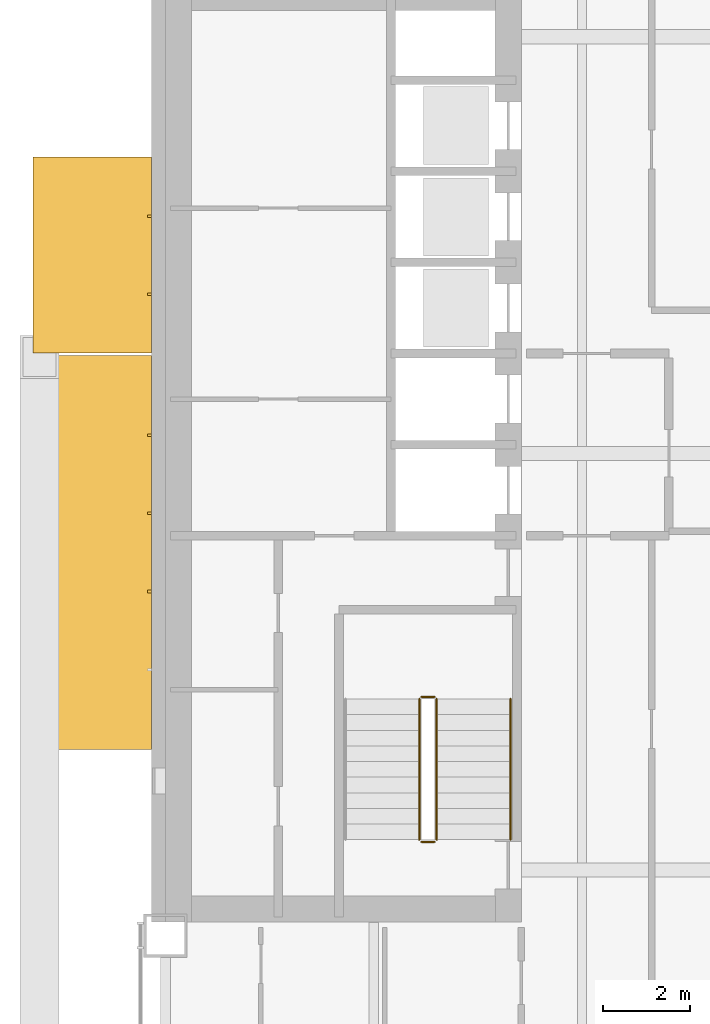
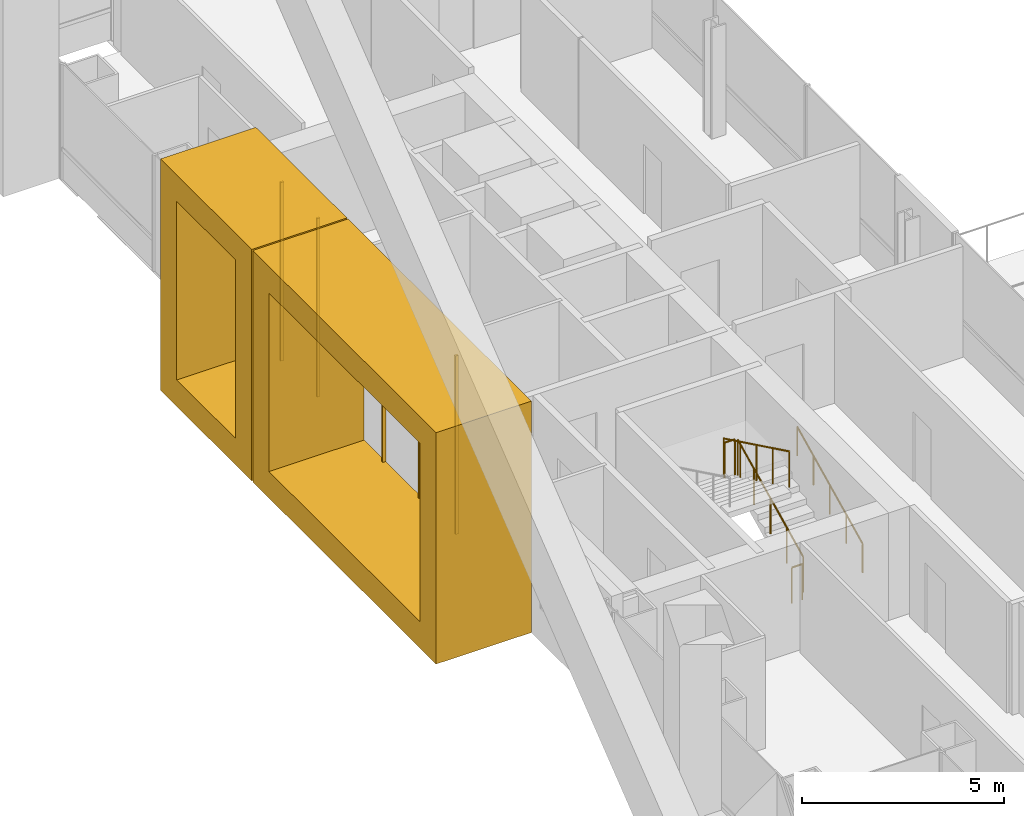
# One storey, part 22 of 26: 7 coverings, 5 railings.
"""IFC4 building model written with IfcOpenShell, lengths in metres."""

from ifc_helpers import new_model, si_unit, direction, frame, origin, origin_2d, place, context, subcontext, project, spatial, polyline, rectangle, circle, outline, extrude, material, type_object, element, save


model = new_model("IFC4")

# Units and contexts
model_context = context("Model", 3, precision=1e-05, world=origin(), true_north=direction((0.0, 1.0)))
body_context = subcontext(model_context, "Body", "Model", "MODEL_VIEW")
ifc_project = project(units=[si_unit("LENGTHUNIT", "METRE"), si_unit("AREAUNIT", "SQUARE_METRE"), si_unit("VOLUMEUNIT", "CUBIC_METRE"), si_unit("PLANEANGLEUNIT", "RADIAN"), si_unit("MASSUNIT", "GRAM", prefix="KILO")], contexts=[model_context])

# Site, building, storey
site_placement = place(None, origin())
site = spatial("IfcSite", under=ifc_project, at=site_placement, CompositionType="ELEMENT")
building_placement = place(site_placement, origin())
building = spatial("IfcBuilding", under=site, at=building_placement, Name="Cobrizo Arcos Hotel Tower", CompositionType="ELEMENT")
storey_placement = place(building_placement, frame((0.0, 0.0, 67.0)))
storey = spatial("IfcBuildingStorey", under=building, at=storey_placement, Name="L15", CompositionType="ELEMENT", Elevation=67.0)

# Coverings
ifc_material_1 = material(Name="Aluminium 6063-T6 anodised bronze", Category="aluminium")
covering_type_1 = type_object("IfcCoveringType", Name="FIN-F 2725", PredefinedType="CLADDING", material=ifc_material_1)
covering_1_placement = place(storey_placement, frame((-24.324951171875, 6.824951171875, 0.0), z_axis=(-1.0, 0.0, 0.0), x_axis=(0.0, -1.0, 0.0)))
element("IfcCovering", 1, at=covering_1_placement, inside=storey, type_object=covering_type_1, Name="Fin frame 78", PredefinedType="CLADDING", context=body_context, shape_type="SweptSolid", body=[
    extrude(outline(polyline([(0.0, 7.0), (0.0, 0.0), (4.5166015625, 0.0), (4.5166015625, 7.0), (0.0, 7.0)]), holes=[polyline([(3.716796875, 0.800048828125), (0.800048828125, 0.800048828125), (0.800048828125, 6.199951171875), (3.716796875, 6.199951171875), (3.716796875, 0.800048828125)])]), origin(), (0.0, 0.0, 1.0), 2.72509765625),
])
covering_2_placement = place(storey_placement, frame((-24.324951171875, 2.25830078125, 0.0), z_axis=(-1.0, 0.0, 0.0), x_axis=(0.0, -1.0, 0.0)))
element("IfcCovering", 2, at=covering_2_placement, inside=storey, type_object=covering_type_1, Name="Fin frame 79", PredefinedType="CLADDING", context=body_context, shape_type="SweptSolid", body=[
    extrude(outline(polyline([(0.0, 7.0), (0.0, 0.0), (9.083251953125, 0.0), (9.083251953125, 7.0), (0.0, 7.0)]), holes=[polyline([(8.283203125, 0.800048828125), (0.800048828125, 0.800048828125), (0.800048828125, 6.199951171875), (8.283203125, 6.199951171875), (8.283203125, 0.800048828125)])]), origin(), (0.0, 0.0, 1.0), 2.72509765625),
])
ifc_material_2 = material(Name="Aluminium 6063-T6 anodised pale", Category="aluminium")
covering_type_2 = type_object("IfcCoveringType", Name="RS-1 rainscreen rib 60x90", PredefinedType="CLADDING", material=ifc_material_2)
for number, where, z_axis, x_axis, name in (
    (3, (-24.3701171875, 5.466552734375, 0.800048828125), (0.0, 0.0, 1.0), (0.0, -1.0, 0.0), "Rainscreen rib 123"),
    (4, (-24.3701171875, 3.666748046875, 0.800048828125), (0.0, 0.0, 1.0), (0.0, -1.0, 0.0), "Rainscreen rib 124"),
    (5, (-24.3701171875, 0.416748046875, 0.800048828125), (0.0, 0.0, 1.0), (0.0, -1.0, 0.0), "Rainscreen rib 125"),
    (6, (-24.3701171875, -1.38330078125, 0.800048828125), (0.0, 0.0, 1.0), (0.0, -1.0, 0.0), "Rainscreen rib 126"),
    (7, (-24.3701171875, -3.183349609375, 0.800048828125), (0.0, 0.0, 1.0), (0.0, -1.0, 0.0), "Rainscreen rib 127"),
):
    element("IfcCovering", number, at=place(storey_placement, frame(where, z_axis=z_axis, x_axis=x_axis)), inside=storey, type_object=covering_type_2, Name=name, PredefinedType="CLADDING", context=body_context, shape_type="SweptSolid", body=[
        extrude(rectangle(XDim=0.06005859375, YDim=0.090087890625, at=origin_2d()), origin(), (0.0, 0.0, 1.0), 5.39990234375),
    ])

# Railings
ifc_material_3 = material(Name="Stainless steel railing", Category="steel")
railing_type_1 = type_object("IfcRailingType", Name="Stair guard 1100", PredefinedType="GUARDRAIL", material=ifc_material_3)
railing_1_placement = place(storey_placement, frame((-17.75, -8.89990234375, 0.175048828125)))
element("IfcRailing", 8, at=railing_1_placement, inside=storey, type_object=railing_type_1, Name="L15 ST-W stair guard 1", PredefinedType="GUARDRAIL", context=body_context, shape_type="SweptSolid", body=[
    extrude(circle(Radius=0.02392578125, at=origin_2d()), frame((0.0, 0.0, 1.076171875), z_axis=(0.0, 0.899372665325, 0.437182809435), x_axis=(-1.0, 0.0, 0.0)), (0.0, 0.0, 1.0), 3.6025390625),
    extrude(circle(Radius=0.02099609375, at=origin_2d()), origin(), (0.0, 0.0, 1.0), 1.052001953125),
    extrude(circle(Radius=0.02099609375, at=origin_2d()), frame((0.0, 0.81005859375, 0.393798828125)), (0.0, 0.0, 1.0), 1.052001953125),
    extrude(circle(Radius=0.02099609375, at=origin_2d()), frame((0.0, 1.6201171875, 0.78759765625)), (0.0, 0.0, 1.0), 1.052001953125),
    extrude(circle(Radius=0.02099609375, at=origin_2d()), frame((0.0, 2.429931640625, 1.18115234375)), (0.0, 0.0, 1.0), 1.052001953125),
    extrude(circle(Radius=0.02099609375, at=origin_2d()), frame((0.0, 3.239990234375, 1.574951171875)), (0.0, 0.0, 1.0), 1.052001953125),
])
railing_2_placement = place(storey_placement, frame((-17.800048828125, -5.610107421875, 1.75)))
element("IfcRailing", 9, at=railing_2_placement, inside=storey, type_object=railing_type_1, Name="L15 ST-W stair guard 2", PredefinedType="GUARDRAIL", context=body_context, shape_type="SweptSolid", body=[
    extrude(circle(Radius=0.02392578125, at=origin_2d()), frame((0.0, 0.0, 1.076171875), z_axis=(-1.0, 0.0, 0.0), x_axis=(0.0, -1.0, 0.0)), (0.0, 0.0, 1.0), 0.300048828125),
    extrude(circle(Radius=0.02099609375, at=origin_2d()), origin(), (0.0, 0.0, 1.0), 1.052001953125),
    extrude(circle(Radius=0.02099609375, at=origin_2d()), frame((-0.300048828125, 0.0, 0.0)), (0.0, 0.0, 1.0), 1.052001953125),
])
railing_3_placement = place(storey_placement, frame((-18.14990234375, -5.659912109375, 1.925048828125)))
element("IfcRailing", 10, at=railing_3_placement, inside=storey, type_object=railing_type_1, Name="L15 ST-W stair guard 3", PredefinedType="GUARDRAIL", context=body_context, shape_type="SweptSolid", body=[
    extrude(circle(Radius=0.02392578125, at=origin_2d()), frame((0.0, 0.0, 1.076171875), z_axis=(0.0, -0.899372665325, 0.437182809435), x_axis=(1.0, 0.0, 0.0)), (0.0, 0.0, 1.0), 3.6025390625),
    extrude(circle(Radius=0.02099609375, at=origin_2d()), origin(), (0.0, 0.0, 1.0), 1.052001953125),
    extrude(circle(Radius=0.02099609375, at=origin_2d()), frame((0.0, -0.81005859375, 0.393798828125)), (0.0, 0.0, 1.0), 1.052001953125),
    extrude(circle(Radius=0.02099609375, at=origin_2d()), frame((0.0, -1.6201171875, 0.78759765625)), (0.0, 0.0, 1.0), 1.052001953125),
    extrude(circle(Radius=0.02099609375, at=origin_2d()), frame((0.0, -2.429931640625, 1.18115234375)), (0.0, 0.0, 1.0), 1.052001953125),
    extrude(circle(Radius=0.02099609375, at=origin_2d()), frame((0.0, -3.239990234375, 1.574951171875)), (0.0, 0.0, 1.0), 1.052001953125),
])
railing_4_placement = place(storey_placement, frame((-17.800048828125, -8.949951171875, 0.0)))
element("IfcRailing", 11, at=railing_4_placement, inside=storey, type_object=railing_type_1, Name="L15 ST-W stair guard 4", PredefinedType="GUARDRAIL", context=body_context, shape_type="SweptSolid", body=[
    extrude(circle(Radius=0.02392578125, at=origin_2d()), frame((0.0, 0.0, 1.076171875), z_axis=(-1.0, 0.0, 0.0), x_axis=(0.0, -1.0, 0.0)), (0.0, 0.0, 1.0), 0.300048828125),
    extrude(circle(Radius=0.02099609375, at=origin_2d()), origin(), (0.0, 0.0, 1.0), 1.052001953125),
    extrude(circle(Radius=0.02099609375, at=origin_2d()), frame((-0.300048828125, 0.0, 0.0)), (0.0, 0.0, 1.0), 1.052001953125),
])
railing_type_2 = type_object("IfcRailingType", Name="Stair handrail", PredefinedType="HANDRAIL", material=ifc_material_3)
railing_5_placement = place(storey_placement, frame((-16.050048828125, -8.89990234375, 0.175048828125)))
element("IfcRailing", 12, at=railing_5_placement, inside=storey, type_object=railing_type_2, Name="L15 ST-W stair handrail 1", PredefinedType="HANDRAIL", context=body_context, shape_type="SweptSolid", body=[
    extrude(circle(Radius=0.02392578125, at=origin_2d()), frame((0.0, 0.0, 0.8759765625), z_axis=(0.0, 0.899372665325, 0.437182809435), x_axis=(-1.0, 0.0, 0.0)), (0.0, 0.0, 1.0), 3.6025390625),
    extrude(circle(Radius=0.02099609375, at=origin_2d()), origin(), (0.0, 0.0, 1.0), 0.851806640625),
    extrude(circle(Radius=0.02099609375, at=origin_2d()), frame((0.0, 0.81005859375, 0.393798828125)), (0.0, 0.0, 1.0), 0.851806640625),
    extrude(circle(Radius=0.02099609375, at=origin_2d()), frame((0.0, 1.6201171875, 0.78759765625)), (0.0, 0.0, 1.0), 0.851806640625),
    extrude(circle(Radius=0.02099609375, at=origin_2d()), frame((0.0, 2.429931640625, 1.18115234375)), (0.0, 0.0, 1.0), 0.851806640625),
    extrude(circle(Radius=0.02099609375, at=origin_2d()), frame((0.0, 3.239990234375, 1.574951171875)), (0.0, 0.0, 1.0), 0.851806640625),
])

save(model, "model.ifc")
